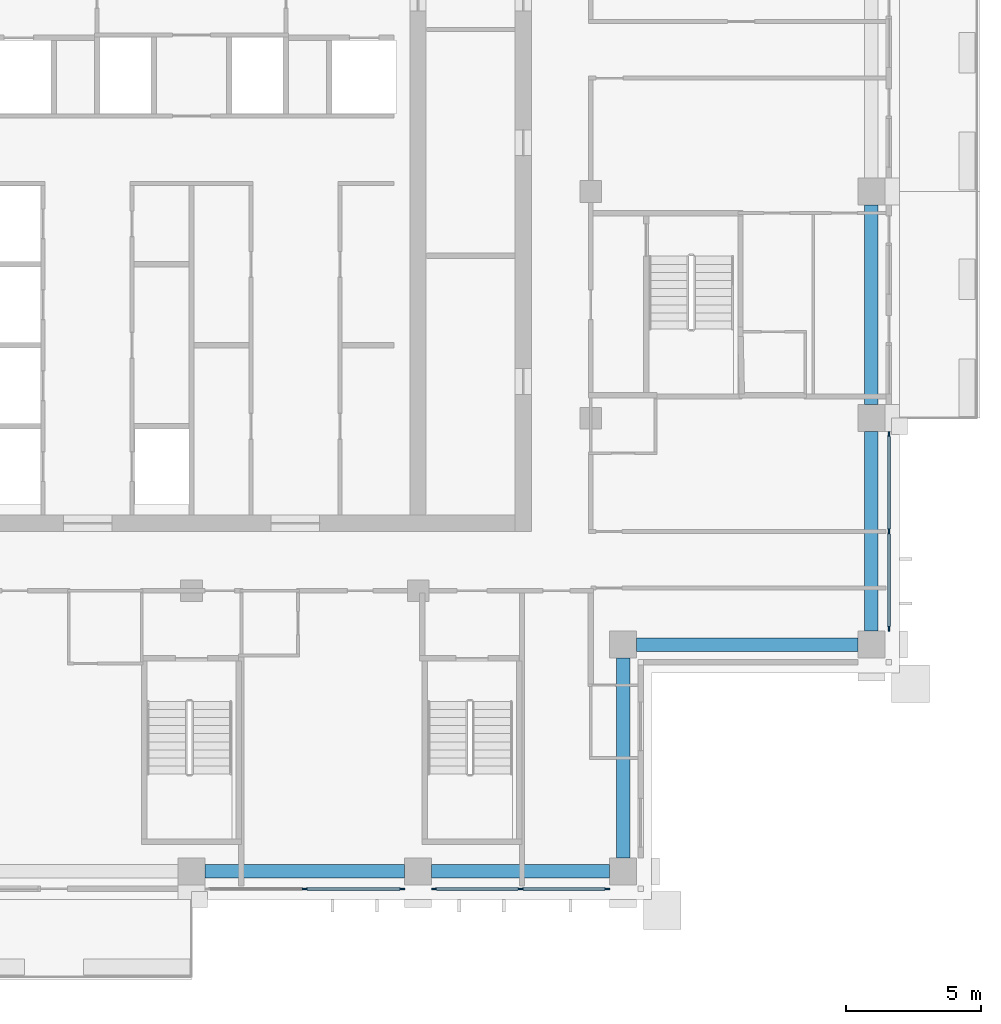
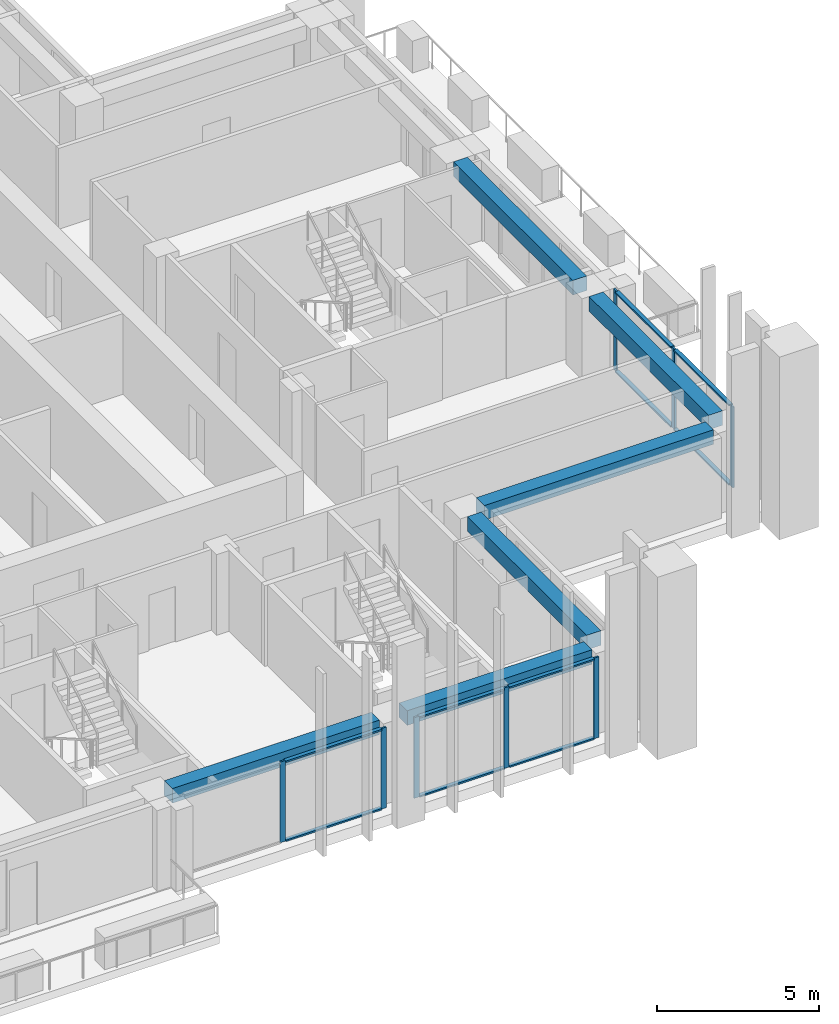
# One storey, part 4 of 17: 18 members, 6 beams, 3 elements without a shape of their own.
"""IFC4 building model written with IfcOpenShell, lengths in metres."""

from ifc_helpers import new_model, si_unit, direction, frame, origin, origin_2d, place, context, subcontext, project, spatial, rectangle, extrude, material, material_profile, profile_set, type_object, element, aggregate, save


model = new_model("IFC4")

# Units and contexts
model_context = context("Model", 3, precision=1e-05, world=origin(), true_north=direction((0.0, 1.0)))
body_context = subcontext(model_context, "Body", "Model", "MODEL_VIEW")
ifc_project = project(units=[si_unit("LENGTHUNIT", "METRE"), si_unit("AREAUNIT", "SQUARE_METRE"), si_unit("VOLUMEUNIT", "CUBIC_METRE"), si_unit("PLANEANGLEUNIT", "RADIAN"), si_unit("MASSUNIT", "GRAM", prefix="KILO")], contexts=[model_context])

# Site, building, storey
site_placement = place(None, origin())
site = spatial("IfcSite", under=ifc_project, at=site_placement, CompositionType="ELEMENT")
building_placement = place(site_placement, origin())
building = spatial("IfcBuilding", under=site, at=building_placement, Name="Vermilion Ogive Tower", CompositionType="ELEMENT")
storey_placement = place(building_placement, frame((0.0, 0.0, 192.800048828125)))
storey = spatial("IfcBuildingStorey", under=building, at=storey_placement, Name="L50", CompositionType="ELEMENT", Elevation=192.800048828125)

# Curtain wall, members
ifc_material_1 = material(Name="Low-iron laminated glazing in aluminium frame", Category="aluminium")
curtain_wall_type = type_object("IfcCurtainWallType", Name="Curtain wall CW7", PredefinedType="NOTDEFINED", material=ifc_material_1)
curtain_wall_1_placement = place(storey_placement, origin())
curtain_wall_1 = element("IfcCurtainWall", 1, at=curtain_wall_1_placement, inside=storey, type_object=curtain_wall_type, Name="Glazed skin S3", PredefinedType="NOTDEFINED")
ifc_material_2 = material(Name="Aluminium mullion", Category="aluminium")
ifc_material_profile_1 = material_profile(ifc_material_2, rectangle(XDim=0.06005859375, YDim=0.179931640625, at=origin_2d()), Name="AL 60x180")
ifc_profile_set_1 = profile_set([ifc_material_profile_1], Name="Aluminium mullion")
member_type_1 = type_object("IfcMemberType", Name="CW7 mullion 60x180", PredefinedType="MULLION", material=ifc_profile_set_1)
member_1_placement = place(storey_placement, frame((4.199951171875, -21.64990234375, 0.0), z_axis=(0.0, 0.0, 1.0), x_axis=(0.0, 1.0, 0.0)))
member_1 = element("IfcMember", 2, at=member_1_placement, type_object=member_type_1, Name="CW7-S3 mullion 2", PredefinedType="MULLION", context=body_context, shape_type="SweptSolid", body=[
    extrude(rectangle(XDim=0.06005859375, YDim=0.179931640625, at=origin_2d()), origin(), (0.0, 0.0, 1.0), 3.050048828125),
])
member_2_placement = place(storey_placement, frame((7.81005859375, -21.64990234375, 0.0), z_axis=(0.0, 0.0, 1.0), x_axis=(0.0, 1.0, 0.0)))
member_2 = element("IfcMember", 3, at=member_2_placement, type_object=member_type_1, Name="CW7-S3 mullion 3", PredefinedType="MULLION", context=body_context, shape_type="SweptSolid", body=[
    extrude(rectangle(XDim=0.06005859375, YDim=0.179931640625, at=origin_2d()), origin(), (0.0, 0.0, 1.0), 3.050048828125),
])

curtain_wall_2_placement = place(storey_placement, origin())
curtain_wall_2 = element("IfcCurtainWall", 4, at=curtain_wall_2_placement, inside=storey, type_object=curtain_wall_type, Name="Glazed skin S4", PredefinedType="NOTDEFINED")
member_3_placement = place(storey_placement, frame((8.989990234375, -21.64990234375, 0.0), z_axis=(0.0, 0.0, 1.0), x_axis=(0.0, 1.0, 0.0)))
member_3 = element("IfcMember", 5, at=member_3_placement, type_object=member_type_1, Name="CW7-S4 mullion 1", PredefinedType="MULLION", context=body_context, shape_type="SweptSolid", body=[
    extrude(rectangle(XDim=0.06005859375, YDim=0.179931640625, at=origin_2d()), origin(), (0.0, 0.0, 1.0), 3.050048828125),
])
member_4_placement = place(storey_placement, frame((12.199951171875, -21.64990234375, 0.0), z_axis=(0.0, 0.0, 1.0), x_axis=(0.0, 1.0, 0.0)))
member_4 = element("IfcMember", 6, at=member_4_placement, type_object=member_type_1, Name="CW7-S4 mullion 2", PredefinedType="MULLION", context=body_context, shape_type="SweptSolid", body=[
    extrude(rectangle(XDim=0.06005859375, YDim=0.179931640625, at=origin_2d()), origin(), (0.0, 0.0, 1.0), 3.050048828125),
])
member_5_placement = place(storey_placement, frame((15.409912109375, -21.64990234375, 0.0), z_axis=(0.0, 0.0, 1.0), x_axis=(0.0, 1.0, 0.0)))
member_5 = element("IfcMember", 7, at=member_5_placement, type_object=member_type_1, Name="CW7-S4 mullion 3", PredefinedType="MULLION", context=body_context, shape_type="SweptSolid", body=[
    extrude(rectangle(XDim=0.06005859375, YDim=0.179931640625, at=origin_2d()), origin(), (0.0, 0.0, 1.0), 3.050048828125),
])

curtain_wall_3_placement = place(storey_placement, origin())
curtain_wall_3 = element("IfcCurtainWall", 8, at=curtain_wall_3_placement, inside=storey, type_object=curtain_wall_type, Name="Glazed skin E1", PredefinedType="NOTDEFINED")
member_6_placement = place(storey_placement, frame((25.85009765625, -12.010009765625, 0.0), z_axis=(0.0, 0.0, 1.0), x_axis=(-1.0, 0.0, 0.0)))
member_6 = element("IfcMember", 9, at=member_6_placement, type_object=member_type_1, Name="CW7-E1 mullion 1", PredefinedType="MULLION", context=body_context, shape_type="SweptSolid", body=[
    extrude(rectangle(XDim=0.06005859375, YDim=0.179931640625, at=origin_2d()), origin(), (0.0, 0.0, 1.0), 3.050048828125),
])
member_7_placement = place(storey_placement, frame((25.85009765625, -8.39990234375, 0.0), z_axis=(0.0, 0.0, 1.0), x_axis=(-1.0, 0.0, 0.0)))
member_7 = element("IfcMember", 10, at=member_7_placement, type_object=member_type_1, Name="CW7-E1 mullion 2", PredefinedType="MULLION", context=body_context, shape_type="SweptSolid", body=[
    extrude(rectangle(XDim=0.06005859375, YDim=0.179931640625, at=origin_2d()), origin(), (0.0, 0.0, 1.0), 3.050048828125),
])
member_8_placement = place(storey_placement, frame((25.85009765625, -4.7900390625, 0.0), z_axis=(0.0, 0.0, 1.0), x_axis=(-1.0, 0.0, 0.0)))
member_8 = element("IfcMember", 11, at=member_8_placement, type_object=member_type_1, Name="CW7-E1 mullion 3", PredefinedType="MULLION", context=body_context, shape_type="SweptSolid", body=[
    extrude(rectangle(XDim=0.06005859375, YDim=0.179931640625, at=origin_2d()), origin(), (0.0, 0.0, 1.0), 3.050048828125),
])

# Member
ifc_material_3 = material(Name="Aluminium transom", Category="aluminium")
ifc_material_profile_2 = material_profile(ifc_material_3, rectangle(XDim=0.139892578125, YDim=0.06005859375, at=origin_2d()), Name="AL 60x140")
ifc_profile_set_2 = profile_set([ifc_material_profile_2], Name="Aluminium transom")
member_type_2 = type_object("IfcMemberType", Name="CW7 transom 60x140", PredefinedType="USERDEFINED", material=ifc_profile_set_2)
member_9_placement = place(storey_placement, frame((4.2900390625, -21.64990234375, 0.030029296875), z_axis=(1.0, 0.0, 0.0), x_axis=(0.0, 1.0, 0.0)))
member_9 = element("IfcMember", 12, at=member_9_placement, type_object=member_type_2, Name="CW7-S3 transom 2.1", ObjectType="TRANSOM", PredefinedType="USERDEFINED", context=body_context, shape_type="SweptSolid", body=[
    extrude(rectangle(XDim=0.139892578125, YDim=0.06005859375, at=origin_2d()), origin(), (0.0, 0.0, 1.0), 3.429931640625),
])

member_10_placement = place(storey_placement, frame((4.2900390625, -21.64990234375, 3.02001953125), z_axis=(1.0, 0.0, 0.0), x_axis=(0.0, 1.0, 0.0)))
member_10 = element("IfcMember", 13, at=member_10_placement, type_object=member_type_2, Name="CW7-S3 transom 2.2", ObjectType="TRANSOM", PredefinedType="USERDEFINED", context=body_context, shape_type="SweptSolid", body=[
    extrude(rectangle(XDim=0.139892578125, YDim=0.06005859375, at=origin_2d()), origin(), (0.0, 0.0, 1.0), 3.429931640625),
])

aggregate(curtain_wall_1, [member_1, member_2, member_9, member_10])

member_11_placement = place(storey_placement, frame((9.080078125, -21.64990234375, 0.030029296875), z_axis=(1.0, 0.0, 0.0), x_axis=(0.0, 1.0, 0.0)))
member_11 = element("IfcMember", 14, at=member_11_placement, type_object=member_type_2, Name="CW7-S4 transom 1.1", ObjectType="TRANSOM", PredefinedType="USERDEFINED", context=body_context, shape_type="SweptSolid", body=[
    extrude(rectangle(XDim=0.139892578125, YDim=0.06005859375, at=origin_2d()), origin(), (0.0, 0.0, 1.0), 3.030029296875),
])

member_12_placement = place(storey_placement, frame((9.080078125, -21.64990234375, 3.02001953125), z_axis=(1.0, 0.0, 0.0), x_axis=(0.0, 1.0, 0.0)))
member_12 = element("IfcMember", 15, at=member_12_placement, type_object=member_type_2, Name="CW7-S4 transom 1.2", ObjectType="TRANSOM", PredefinedType="USERDEFINED", context=body_context, shape_type="SweptSolid", body=[
    extrude(rectangle(XDim=0.139892578125, YDim=0.06005859375, at=origin_2d()), origin(), (0.0, 0.0, 1.0), 3.030029296875),
])

member_13_placement = place(storey_placement, frame((12.2900390625, -21.64990234375, 0.030029296875), z_axis=(1.0, 0.0, 0.0), x_axis=(0.0, 1.0, 0.0)))
member_13 = element("IfcMember", 16, at=member_13_placement, type_object=member_type_2, Name="CW7-S4 transom 2.1", ObjectType="TRANSOM", PredefinedType="USERDEFINED", context=body_context, shape_type="SweptSolid", body=[
    extrude(rectangle(XDim=0.139892578125, YDim=0.06005859375, at=origin_2d()), origin(), (0.0, 0.0, 1.0), 3.030029296875),
])

member_14_placement = place(storey_placement, frame((12.2900390625, -21.64990234375, 3.02001953125), z_axis=(1.0, 0.0, 0.0), x_axis=(0.0, 1.0, 0.0)))
member_14 = element("IfcMember", 17, at=member_14_placement, type_object=member_type_2, Name="CW7-S4 transom 2.2", ObjectType="TRANSOM", PredefinedType="USERDEFINED", context=body_context, shape_type="SweptSolid", body=[
    extrude(rectangle(XDim=0.139892578125, YDim=0.06005859375, at=origin_2d()), origin(), (0.0, 0.0, 1.0), 3.030029296875),
])

aggregate(curtain_wall_2, [member_3, member_4, member_5, member_11, member_12, member_13, member_14])

member_15_placement = place(storey_placement, frame((25.85009765625, -11.919921875, 0.030029296875), z_axis=(0.0, 1.0, 0.0), x_axis=(-1.0, 0.0, 0.0)))
member_15 = element("IfcMember", 18, at=member_15_placement, type_object=member_type_2, Name="CW7-E1 transom 1.1", ObjectType="TRANSOM", PredefinedType="USERDEFINED", context=body_context, shape_type="SweptSolid", body=[
    extrude(rectangle(XDim=0.139892578125, YDim=0.06005859375, at=origin_2d()), origin(), (0.0, 0.0, 1.0), 3.429931640625),
])

member_16_placement = place(storey_placement, frame((25.85009765625, -11.919921875, 3.02001953125), z_axis=(0.0, 1.0, 0.0), x_axis=(-1.0, 0.0, 0.0)))
member_16 = element("IfcMember", 19, at=member_16_placement, type_object=member_type_2, Name="CW7-E1 transom 1.2", ObjectType="TRANSOM", PredefinedType="USERDEFINED", context=body_context, shape_type="SweptSolid", body=[
    extrude(rectangle(XDim=0.139892578125, YDim=0.06005859375, at=origin_2d()), origin(), (0.0, 0.0, 1.0), 3.429931640625),
])

member_17_placement = place(storey_placement, frame((25.85009765625, -8.31005859375, 0.030029296875), z_axis=(0.0, 1.0, 0.0), x_axis=(-1.0, 0.0, 0.0)))
member_17 = element("IfcMember", 20, at=member_17_placement, type_object=member_type_2, Name="CW7-E1 transom 2.1", ObjectType="TRANSOM", PredefinedType="USERDEFINED", context=body_context, shape_type="SweptSolid", body=[
    extrude(rectangle(XDim=0.139892578125, YDim=0.06005859375, at=origin_2d()), origin(), (0.0, 0.0, 1.0), 3.43017578125),
])

member_18_placement = place(storey_placement, frame((25.85009765625, -8.31005859375, 3.02001953125), z_axis=(0.0, 1.0, 0.0), x_axis=(-1.0, 0.0, 0.0)))
member_18 = element("IfcMember", 21, at=member_18_placement, type_object=member_type_2, Name="CW7-E1 transom 2.2", ObjectType="TRANSOM", PredefinedType="USERDEFINED", context=body_context, shape_type="SweptSolid", body=[
    extrude(rectangle(XDim=0.139892578125, YDim=0.06005859375, at=origin_2d()), origin(), (0.0, 0.0, 1.0), 3.43017578125),
])

aggregate(curtain_wall_3, [member_6, member_7, member_8, member_15, member_16, member_17, member_18])

# Beams
ifc_material_4 = material(Name="Concrete B45", Category="concrete")
ifc_material_profile_3 = material_profile(ifc_material_4, rectangle(XDim=0.5, YDim=0.550048828125, at=origin_2d()), Name="500 x 550")
ifc_profile_set_3 = profile_set([ifc_material_profile_3], Name="Concrete B45")
beam_type = type_object("IfcBeamType", Name="Edge beam 500 x 550 B45", PredefinedType="BEAM", material=ifc_profile_set_3)
beam_1_placement = place(storey_placement, frame((0.5, -21.0, 2.77490234375), z_axis=(1.0, 0.0, 0.0), x_axis=(0.0, 1.0, 0.0)))
element("IfcBeam", 22, at=beam_1_placement, inside=storey, type_object=beam_type, Name="L50-EB-3", PredefinedType="BEAM", context=body_context, shape_type="SweptSolid", body=[
    extrude(rectangle(XDim=0.5, YDim=0.550048828125, at=origin_2d()), origin(), (0.0, 0.0, 1.0), 7.39990234375),
])
beam_2_placement = place(storey_placement, frame((8.89990234375, -21.0, 2.77490234375), z_axis=(1.0, 0.0, 0.0), x_axis=(0.0, 1.0, 0.0)))
element("IfcBeam", 23, at=beam_2_placement, inside=storey, type_object=beam_type, Name="L50-EB-4", PredefinedType="BEAM", context=body_context, shape_type="SweptSolid", body=[
    extrude(rectangle(XDim=0.5, YDim=0.550048828125, at=origin_2d()), origin(), (0.0, 0.0, 1.0), 6.60009765625),
])
beam_3_placement = place(storey_placement, frame((16.0, -20.5, 2.77490234375), z_axis=(0.0, 1.0, 0.0), x_axis=(-1.0, 0.0, 0.0)))
element("IfcBeam", 24, at=beam_3_placement, inside=storey, type_object=beam_type, Name="L50-EB-5", PredefinedType="BEAM", context=body_context, shape_type="SweptSolid", body=[
    extrude(rectangle(XDim=0.5, YDim=0.550048828125, at=origin_2d()), origin(), (0.0, 0.0, 1.0), 7.39990234375),
])
beam_4_placement = place(storey_placement, frame((16.5, -12.60009765625, 2.77490234375), z_axis=(1.0, 0.0, 0.0), x_axis=(0.0, 1.0, 0.0)))
element("IfcBeam", 25, at=beam_4_placement, inside=storey, type_object=beam_type, Name="L50-EB-6", PredefinedType="BEAM", context=body_context, shape_type="SweptSolid", body=[
    extrude(rectangle(XDim=0.5, YDim=0.550048828125, at=origin_2d()), origin(), (0.0, 0.0, 1.0), 8.199951171875),
])
beam_5_placement = place(storey_placement, frame((25.199951171875, -12.10009765625, 2.77490234375), z_axis=(0.0, 1.0, 0.0), x_axis=(-1.0, 0.0, 0.0)))
element("IfcBeam", 26, at=beam_5_placement, inside=storey, type_object=beam_type, Name="L50-EB-7", PredefinedType="BEAM", context=body_context, shape_type="SweptSolid", body=[
    extrude(rectangle(XDim=0.5, YDim=0.550048828125, at=origin_2d()), origin(), (0.0, 0.0, 1.0), 7.400146484375),
])
beam_6_placement = place(storey_placement, frame((25.199951171875, -3.699951171875, 2.77490234375), z_axis=(0.0, 1.0, 0.0), x_axis=(-1.0, 0.0, 0.0)))
element("IfcBeam", 27, at=beam_6_placement, inside=storey, type_object=beam_type, Name="L50-EB-8", PredefinedType="BEAM", context=body_context, shape_type="SweptSolid", body=[
    extrude(rectangle(XDim=0.5, YDim=0.550048828125, at=origin_2d()), origin(), (0.0, 0.0, 1.0), 7.39990234375),
])

save(model, "model.ifc")
